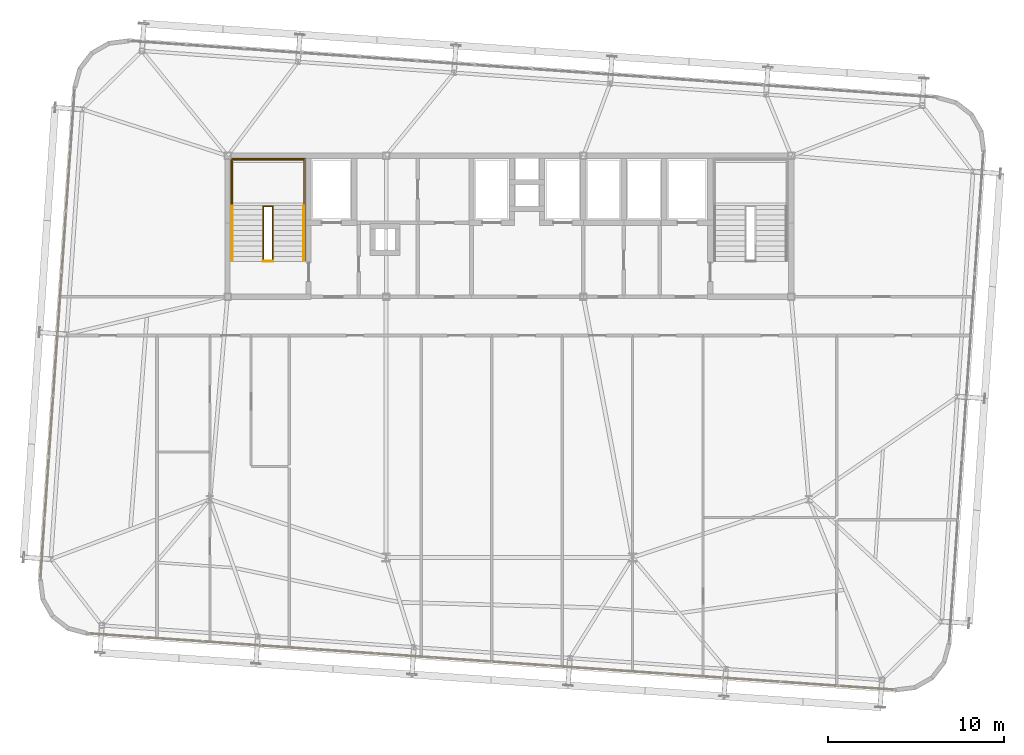
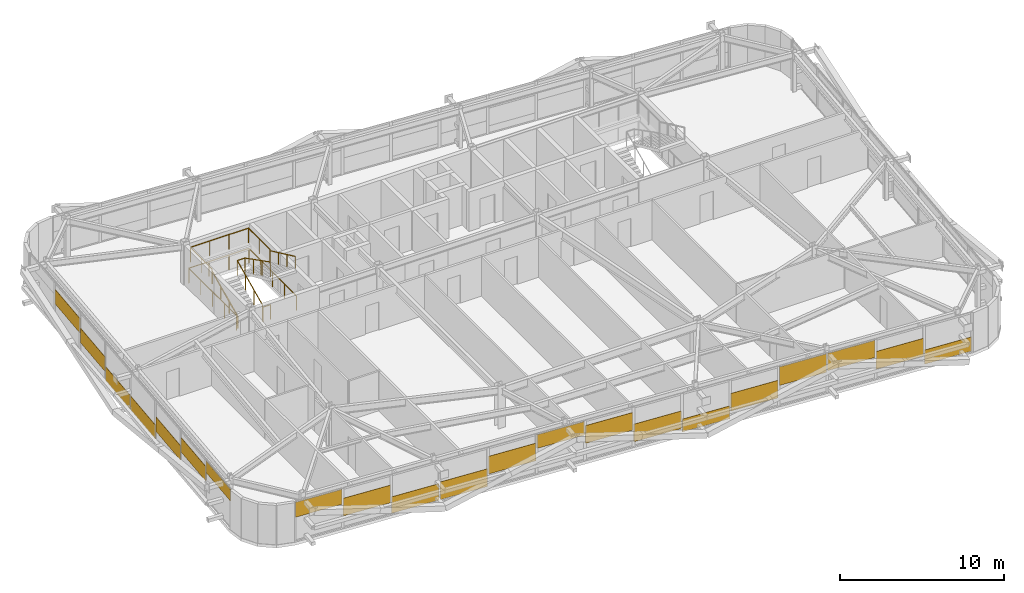
# One storey, part 45 of 47: 21 coverings, 6 railings.
"""IFC4 building model written with IfcOpenShell, lengths in metres."""

import ifcopenshell
import ifcopenshell.guid

model = None  # the IFC model being written
_history = None  # IfcOwnerHistory: only IFC2X3 demands one
_inside = {}  # id of a spatial element -> (the spatial element, [elements in it])
_under = {}  # id of a project, library or spatial element -> (it, [spatial elements below it])
_declared = {}  # id of a project -> (the project, [libraries it declares])
_typed = {}  # id of a type object -> (the type object, [elements of that type])
_made_of = {}  # id of a material, layer set ... -> (it, [elements and type objects made of it])


def new_model(schema):
    """Start an empty IFC model of exactly this schema.

    Asked for "IFC4X3", IfcOpenShell would pick the latest addendum, in which some entities
    have other attributes; the version numbers below select the first issue.
    IFC2X3 requires an IfcOwnerHistory on every rooted entity: one is made here for all.
    """
    global model, _history
    if schema == "IFC4X3":
        model = ifcopenshell.file(schema_version=(4, 3, 0, 0))
    else:
        model = ifcopenshell.file(schema=schema)
    _inside.clear()
    _under.clear()
    _declared.clear()
    _typed.clear()
    _made_of.clear()
    _history = None
    if model.schema == "IFC2X3":
        org = make("IfcOrganization", Name="unknown")
        user = make(
            "IfcPersonAndOrganization",
            ThePerson=make("IfcPerson", FamilyName="unknown"),
            TheOrganization=org,
        )
        app = make(
            "IfcApplication",
            ApplicationDeveloper=org,
            Version="unknown",
            ApplicationFullName="unknown",
            ApplicationIdentifier="unknown",
        )
        _history = make(
            "IfcOwnerHistory",
            OwningUser=user,
            OwningApplication=app,
            ChangeAction="ADDED",
            CreationDate=0,
        )
    return model


def make(cls, **values):
    """One entity of the class cls with the attributes given. An attribute that is None is left unset."""
    return model.create_entity(
        cls, **{name: value for name, value in values.items() if value is not None}
    )


def rooted(cls, **values):
    """An entity with a GlobalId (a new one), such as an element, a storey or a relation."""
    return make(cls, GlobalId=ifcopenshell.guid.new(), OwnerHistory=_history, **values)


def si_unit(unit_type, name, prefix=None):
    """IfcSIUnit, for example si_unit("LENGTHUNIT", "METRE", prefix="MILLI")."""
    return make("IfcSIUnit", UnitType=unit_type, Prefix=prefix, Name=name)


def assignment(units):
    """IfcUnitAssignment: the units of a project."""
    return None if units is None else make("IfcUnitAssignment", Units=units)


def point(xyz):
    """IfcCartesianPoint."""
    return None if xyz is None else make("IfcCartesianPoint", Coordinates=xyz)


def direction(xyz):
    """IfcDirection."""
    return None if xyz is None else make("IfcDirection", DirectionRatios=xyz)


def frame(location, z_axis=None, x_axis=None):
    """IfcAxis2Placement3D, a coordinate frame: its origin and axes. An axis left out is left unset."""
    return make(
        "IfcAxis2Placement3D",
        Location=point(location),
        Axis=direction(z_axis),
        RefDirection=direction(x_axis),
    )


def frame_2d(location, x_axis=None):
    """IfcAxis2Placement2D, a coordinate frame in the plane: its origin and x axis."""
    return make(
        "IfcAxis2Placement2D", Location=point(location), RefDirection=direction(x_axis)
    )


def origin():
    """The frame at (0, 0, 0) with its axes left unset."""
    return frame((0.0, 0.0, 0.0))


def origin_2d():
    """The frame at (0, 0) in the plane with its x axis left unset."""
    return frame_2d((0.0, 0.0))


def place(relative_to, where):
    """IfcLocalPlacement: puts the frame where relative to a parent placement (None: the world)."""
    return make(
        "IfcLocalPlacement", PlacementRelTo=relative_to, RelativePlacement=where
    )


def context(
    kind, dimensions, precision=None, world=None, true_north=None, identifier=None
):
    """IfcGeometricRepresentationContext, for example the 3D "Model" context."""
    return make(
        "IfcGeometricRepresentationContext",
        ContextIdentifier=identifier,
        ContextType=kind,
        CoordinateSpaceDimension=dimensions,
        Precision=precision,
        WorldCoordinateSystem=world,
        TrueNorth=true_north,
    )


def subcontext(parent, identifier, kind, view, scale=None):
    """IfcGeometricRepresentationSubContext, for example "Body" below "Model"."""
    return make(
        "IfcGeometricRepresentationSubContext",
        ContextIdentifier=identifier,
        ContextType=kind,
        ParentContext=parent,
        TargetScale=scale,
        TargetView=view,
    )


def project(units=None, contexts=None):
    """IfcProject with its units and contexts."""
    return rooted(
        "IfcProject",
        Name="project",
        RepresentationContexts=contexts,
        UnitsInContext=assignment(units),
    )


def spatial(cls, under=None, at=None, **own):
    """A site, building, storey or space (cls), placed at a placement, below another one or the project."""
    s = rooted(cls, ObjectPlacement=at, **own)
    if under is not None:
        _under.setdefault(under.id(), (under, []))[1].append(s)
    return s


def profile(cls, at=None, kind="AREA", **sizes):
    """A parametric profile (cls). Its sizes go by their IFC names, for example OverallWidth=200.0."""
    return make(cls, ProfileType=kind, Position=at, **sizes)


def rectangle(**sizes):
    """IfcRectangleProfileDef."""
    return profile("IfcRectangleProfileDef", **sizes)


def extrude(swept, where, along, depth):
    """IfcExtrudedAreaSolid: the profile swept, set in the frame where, extruded along a direction by depth."""
    return make(
        "IfcExtrudedAreaSolid",
        SweptArea=swept,
        Position=where,
        ExtrudedDirection=direction(along),
        Depth=depth,
    )


def shape(context_of_items, identifier, shape_type, items):
    """IfcShapeRepresentation: the items that make up one representation, for example the "Body"."""
    return make(
        "IfcShapeRepresentation",
        ContextOfItems=context_of_items,
        RepresentationIdentifier=identifier,
        RepresentationType=shape_type,
        Items=items,
    )


def source(mapping_origin, context_of_items, identifier, shape_type, items):
    """IfcRepresentationMap: a shape defined once, which mapped items show again and again."""
    return make(
        "IfcRepresentationMap",
        MappingOrigin=mapping_origin,
        MappedRepresentation=shape(context_of_items, identifier, shape_type, items),
    )


def transform(
    local_origin,
    x_axis=None,
    y_axis=None,
    z_axis=None,
    scale=None,
    scale2=None,
    scale3=None,
    uniform=True,
):
    """IfcCartesianTransformationOperator3D, or its non-uniform kind. x_axis, y_axis, z_axis: its Axis1, 2, 3."""
    if uniform:
        return make(
            "IfcCartesianTransformationOperator3D",
            Axis1=direction(x_axis),
            Axis2=direction(y_axis),
            LocalOrigin=point(local_origin),
            Scale=scale,
            Axis3=direction(z_axis),
        )
    return make(
        "IfcCartesianTransformationOperator3DnonUniform",
        Axis1=direction(x_axis),
        Axis2=direction(y_axis),
        LocalOrigin=point(local_origin),
        Scale=scale,
        Axis3=direction(z_axis),
        Scale2=scale2,
        Scale3=scale3,
    )


def mapped(mapping_source, mapping_target):
    """IfcMappedItem: shows the shape of a source again, moved by a transform."""
    return make(
        "IfcMappedItem", MappingSource=mapping_source, MappingTarget=mapping_target
    )


def material(Name=None, Category=None):
    """IfcMaterial."""
    return make("IfcMaterial", Name=Name, Category=Category)


def layer(
    of_material, thickness, ventilated=None, Name=None, Category=None, Priority=None
):
    """IfcMaterialLayer: one layer of a wall or slab, of a material (None: an air gap)."""
    return make(
        "IfcMaterialLayer",
        Material=of_material,
        LayerThickness=thickness,
        IsVentilated=ventilated,
        Name=Name,
        Category=Category,
        Priority=Priority,
    )


def layer_set(layers, Name=None):
    """IfcMaterialLayerSet."""
    return make("IfcMaterialLayerSet", MaterialLayers=layers, LayerSetName=Name)


def made_of(thing, what):
    """Note that an element or type object is made of a material, layer set ...; save() writes the relation."""
    if what is not None:
        _made_of.setdefault(what.id(), (what, []))[1].append(thing)
    return thing


def type_object(cls, material=None, **own):
    """A type object (cls), such as IfcWallType, which elements share."""
    return made_of(rooted(cls, **own), material)


def element(
    cls,
    number,
    at=None,
    inside=None,
    cuts=None,
    type_object=None,
    material=None,
    context=None,
    identifier="Body",
    shape_type=None,
    held_by="IfcProductDefinitionShape",
    body=None,
    shapes=None,
    **own,
):
    """One element of the class cls, such as IfcWall. Its Tag is "e" and its number.

    at: its placement. inside: the storey or other place that contains it. cuts: it is an
    opening in that element (IfcRelVoidsElement). A single representation is given by context,
    identifier, shape_type and body (its items); several are given by shapes. held_by: the class
    of the entity that holds the representations. save() writes the other relations.
    """
    e = rooted(cls, Tag="e%d" % number, ObjectPlacement=at, **own)
    if body is not None:
        shapes = [shape(context, identifier, shape_type, body)]
    if shapes is not None:
        e.Representation = make(held_by, Representations=shapes)
    if inside is not None:
        _inside.setdefault(inside.id(), (inside, []))[1].append(e)
    if cuts is not None:
        rooted(
            "IfcRelVoidsElement", RelatingBuildingElement=cuts, RelatedOpeningElement=e
        )
    if type_object is not None:
        _typed.setdefault(type_object.id(), (type_object, []))[1].append(e)
    return made_of(e, material)


def aggregate(whole, parts):
    """IfcRelAggregates: a whole, such as a stair, and the parts it consists of."""
    return rooted("IfcRelAggregates", RelatingObject=whole, RelatedObjects=parts)


def save(model, path):
    """Write the relations noted so far, then the file.

    IfcRelAggregates (storeys below a building ...), IfcRelContainedInSpatialStructure (elements
    in a storey), IfcRelDefinesByType, IfcRelAssociatesMaterial and IfcRelDeclares: one each for
    every whole, place, type object, material and project.
    """
    for whole, parts in _under.values():
        aggregate(whole, parts)
    for where, things in _inside.values():
        rooted(
            "IfcRelContainedInSpatialStructure",
            RelatedElements=things,
            RelatingStructure=where,
        )
    for kind, things in _typed.values():
        rooted("IfcRelDefinesByType", RelatedObjects=things, RelatingType=kind)
    for what, things in _made_of.values():
        rooted("IfcRelAssociatesMaterial", RelatedObjects=things, RelatingMaterial=what)
    for by, libraries in _declared.values():
        rooted("IfcRelDeclares", RelatingContext=by, RelatedDefinitions=libraries)
    model.write(path)


model = new_model("IFC4")

# Units and contexts
model_context = context("Model", 3, precision=1e-05, world=origin(), true_north=direction((0.0, 1.0)))
body_context = subcontext(model_context, "Body", "Model", "MODEL_VIEW")
ifc_project = project(units=[si_unit("LENGTHUNIT", "METRE"), si_unit("AREAUNIT", "SQUARE_METRE"), si_unit("VOLUMEUNIT", "CUBIC_METRE"), si_unit("PLANEANGLEUNIT", "RADIAN"), si_unit("MASSUNIT", "GRAM", prefix="KILO")], contexts=[model_context])

# Site, building, storey
site_placement = place(None, origin())
site = spatial("IfcSite", under=ifc_project, at=site_placement, CompositionType="ELEMENT")
building_placement = place(site_placement, origin())
building = spatial("IfcBuilding", under=site, at=building_placement, Name="Taldren Reach Tower", CompositionType="ELEMENT")
storey_placement = place(building_placement, frame((0.0, 0.0, 142.449951171875)))
storey = spatial("IfcBuildingStorey", under=building, at=storey_placement, Name="L43", CompositionType="ELEMENT", Elevation=142.449951171875)

# Railings
ifc_material_1 = material(Name="Steel Gr 350 (C350L0)", Category="steel")
ifc_layer_1 = layer(ifc_material_1, 0.050048828125)
ifc_layer_set_1 = layer_set([ifc_layer_1], Name="Steel Gr 350 (C350L0)")
railing_type_1 = type_object("IfcRailingType", Name="RL-STAIR-GR", PredefinedType="GUARDRAIL", material=ifc_layer_set_1)
railing_1_placement = place(storey_placement, frame((19.260009765625, 29.135009765625, 1.574951171875)))
element("IfcRailing", 1, at=railing_1_placement, inside=storey, type_object=railing_type_1, Name="Stair half-landing perimeter guard ST1-L43", PredefinedType="GUARDRAIL", context=body_context, shape_type="SweptSolid", body=[
    extrude(rectangle(XDim=0.047852, YDim=0.047852, at=origin_2d()), frame((0.0, 0.0, 1.09619140625), z_axis=(0.0, 1.0, 0.0), x_axis=(-1.0, 0.0, 0.0)), (0.0, 0.0, 1.0), 2.64501953125),
    extrude(rectangle(XDim=0.047852, YDim=0.047852, at=origin_2d()), frame((0.0, 2.64501953125, 1.09619140625), z_axis=(1.0, 0.0, 0.0), x_axis=(0.0, 1.0, 0.0)), (0.0, 0.0, 1.0), 4.080078125),
    extrude(rectangle(XDim=0.047852, YDim=0.047852, at=origin_2d()), frame((4.080078125, 2.64501953125, 1.09619140625), z_axis=(0.0, -1.0, 0.0), x_axis=(1.0, 0.0, 0.0)), (0.0, 0.0, 1.0), 2.64501953125),
    extrude(rectangle(XDim=0.041992, YDim=0.041992, at=origin_2d()), origin(), (0.0, 0.0, 1.0), 1.072021484375),
    extrude(rectangle(XDim=0.041992, YDim=0.041992, at=origin_2d()), frame((0.0, 1.322509765625, 0.0)), (0.0, 0.0, 1.0), 1.072021484375),
    extrude(rectangle(XDim=0.041992, YDim=0.041992, at=origin_2d()), frame((0.0, 2.64501953125, 0.0)), (0.0, 0.0, 1.0), 1.072021484375),
    extrude(rectangle(XDim=0.041992, YDim=0.041992, at=origin_2d()), frame((1.360107421875, 2.64501953125, 0.0)), (0.0, 0.0, 1.0), 1.072021484375),
    extrude(rectangle(XDim=0.041992, YDim=0.041992, at=origin_2d()), frame((2.719970703125, 2.64501953125, 0.0)), (0.0, 0.0, 1.0), 1.072021484375),
    extrude(rectangle(XDim=0.041992, YDim=0.041992, at=origin_2d()), frame((4.080078125, 2.64501953125, 0.0)), (0.0, 0.0, 1.0), 1.072021484375),
    extrude(rectangle(XDim=0.041992, YDim=0.041992, at=origin_2d()), frame((4.080078125, 1.322509765625, 0.0)), (0.0, 0.0, 1.0), 1.072021484375),
    extrude(rectangle(XDim=0.041992, YDim=0.041992, at=origin_2d()), frame((4.080078125, 0.0, 0.0)), (0.0, 0.0, 1.0), 1.072021484375),
])
railing_2_placement = place(storey_placement, frame((21.030029296875, 26.050048828125, 0.13134765625)))
element("IfcRailing", 2, at=railing_2_placement, inside=storey, type_object=railing_type_1, Name="Stairwell inner guard ST1-L43", PredefinedType="GUARDRAIL", context=body_context, shape_type="SweptSolid", body=[
    extrude(rectangle(XDim=0.047852, YDim=0.047852, at=origin_2d()), frame((0.0, 0.0, 1.09619140625), z_axis=(0.0, 0.905737652094, 0.423838773095), x_axis=(-1.0, 0.0, 0.0)), (0.0, 0.0, 1.0), 3.406005859375),
    extrude(rectangle(XDim=0.047852, YDim=0.047852, at=origin_2d()), frame((0.0, 3.0849609375, 2.53955078125), z_axis=(1.0, 0.0, 0.0), x_axis=(0.0, 1.0, 0.0)), (0.0, 0.0, 1.0), 0.5400390625),
    extrude(rectangle(XDim=0.047852, YDim=0.047852, at=origin_2d()), frame((0.5400390625, 3.0849609375, 2.53955078125), z_axis=(0.0, -0.890617412389, 0.454753366946), x_axis=(1.0, 0.0, 0.0)), (0.0, 0.0, 1.0), 3.4638671875),
    extrude(rectangle(XDim=0.041992, YDim=0.041992, at=origin_2d()), origin(), (0.0, 0.0, 1.0), 1.072021484375),
    extrude(rectangle(XDim=0.041992, YDim=0.041992, at=origin_2d()), frame((0.0, 1.0283203125, 0.481201171875)), (0.0, 0.0, 1.0), 1.072021484375),
    extrude(rectangle(XDim=0.041992, YDim=0.041992, at=origin_2d()), frame((0.0, 2.056640625, 0.96240234375)), (0.0, 0.0, 1.0), 1.072021484375),
    extrude(rectangle(XDim=0.041992, YDim=0.041992, at=origin_2d()), frame((0.0, 3.0849609375, 1.443603515625)), (0.0, 0.0, 1.0), 1.072021484375),
    extrude(rectangle(XDim=0.041992, YDim=0.041992, at=origin_2d()), frame((0.5400390625, 3.0849609375, 1.443603515625)), (0.0, 0.0, 1.0), 1.072021484375),
    extrude(rectangle(XDim=0.041992, YDim=0.041992, at=origin_2d()), frame((0.5400390625, 2.056640625, 1.96875)), (0.0, 0.0, 1.0), 1.072021484375),
    extrude(rectangle(XDim=0.041992, YDim=0.041992, at=origin_2d()), frame((0.5400390625, 1.0283203125, 2.49365234375)), (0.0, 0.0, 1.0), 1.072021484375),
    extrude(rectangle(XDim=0.041992, YDim=0.041992, at=origin_2d()), frame((0.5400390625, 0.0, 3.018798828125)), (0.0, 0.0, 1.0), 1.072021484375),
])
railing_3_placement = place(storey_placement, frame((21.030029296875, 26.010009765625, 0.0)))
element("IfcRailing", 3, at=railing_3_placement, inside=storey, type_object=railing_type_1, Name="Stairwell landing slot guard ST1-L43", PredefinedType="GUARDRAIL", context=body_context, shape_type="SweptSolid", body=[
    extrude(rectangle(XDim=0.047852, YDim=0.047852, at=origin_2d()), frame((0.0, 0.0, 1.09619140625), z_axis=(1.0, 0.0, 0.0), x_axis=(0.0, 1.0, 0.0)), (0.0, 0.0, 1.0), 0.5400390625),
    extrude(rectangle(XDim=0.041992, YDim=0.041992, at=origin_2d()), origin(), (0.0, 0.0, 1.0), 1.072021484375),
    extrude(rectangle(XDim=0.041992, YDim=0.041992, at=origin_2d()), frame((0.5400390625, 0.0, 0.0)), (0.0, 0.0, 1.0), 1.072021484375),
])
railing_4_placement = place(storey_placement, frame((19.18994140625, 26.050048828125, 0.0)))
element("IfcRailing", 4, at=railing_4_placement, inside=storey, type_object=railing_type_1, Name="Stairwell floor opening guard ST1-L43", PredefinedType="GUARDRAIL", context=body_context, shape_type="SweptSolid", body=[
    extrude(rectangle(XDim=0.047852, YDim=0.047852, at=origin_2d()), frame((0.0, 0.0, 1.09619140625), z_axis=(0.0, 1.0, 0.0), x_axis=(-1.0, 0.0, 0.0)), (0.0, 0.0, 1.0), 5.800048828125),
    extrude(rectangle(XDim=0.047852, YDim=0.047852, at=origin_2d()), frame((0.0, 5.800048828125, 1.09619140625), z_axis=(1.0, 0.0, 0.0), x_axis=(0.0, 1.0, 0.0)), (0.0, 0.0, 1.0), 4.219970703125),
    extrude(rectangle(XDim=0.047852, YDim=0.047852, at=origin_2d()), frame((4.219970703125, 5.800048828125, 1.09619140625), z_axis=(0.0, -1.0, 0.0), x_axis=(1.0, 0.0, 0.0)), (0.0, 0.0, 1.0), 5.800048828125),
    extrude(rectangle(XDim=0.041992, YDim=0.041992, at=origin_2d()), origin(), (0.0, 0.0, 1.0), 1.072021484375),
    extrude(rectangle(XDim=0.041992, YDim=0.041992, at=origin_2d()), frame((0.0, 1.449951171875, 0.0)), (0.0, 0.0, 1.0), 1.072021484375),
    extrude(rectangle(XDim=0.041992, YDim=0.041992, at=origin_2d()), frame((0.0, 2.89990234375, 0.0)), (0.0, 0.0, 1.0), 1.072021484375),
    extrude(rectangle(XDim=0.041992, YDim=0.041992, at=origin_2d()), frame((0.0, 4.35009765625, 0.0)), (0.0, 0.0, 1.0), 1.072021484375),
    extrude(rectangle(XDim=0.041992, YDim=0.041992, at=origin_2d()), frame((0.0, 5.800048828125, 0.0)), (0.0, 0.0, 1.0), 1.072021484375),
    extrude(rectangle(XDim=0.041992, YDim=0.041992, at=origin_2d()), frame((1.40673828125, 5.800048828125, 0.0)), (0.0, 0.0, 1.0), 1.072021484375),
    extrude(rectangle(XDim=0.041992, YDim=0.041992, at=origin_2d()), frame((2.813232421875, 5.800048828125, 0.0)), (0.0, 0.0, 1.0), 1.072021484375),
    extrude(rectangle(XDim=0.041992, YDim=0.041992, at=origin_2d()), frame((4.219970703125, 5.800048828125, 0.0)), (0.0, 0.0, 1.0), 1.072021484375),
    extrude(rectangle(XDim=0.041992, YDim=0.041992, at=origin_2d()), frame((4.219970703125, 4.35009765625, 0.0)), (0.0, 0.0, 1.0), 1.072021484375),
    extrude(rectangle(XDim=0.041992, YDim=0.041992, at=origin_2d()), frame((4.219970703125, 2.89990234375, 0.0)), (0.0, 0.0, 1.0), 1.072021484375),
    extrude(rectangle(XDim=0.041992, YDim=0.041992, at=origin_2d()), frame((4.219970703125, 1.449951171875, 0.0)), (0.0, 0.0, 1.0), 1.072021484375),
    extrude(rectangle(XDim=0.041992, YDim=0.041992, at=origin_2d()), frame((4.219970703125, 0.0, 0.0)), (0.0, 0.0, 1.0), 1.072021484375),
])
ifc_material_2 = material(Name="Stainless Steel Gr 316", Category="steel")
ifc_layer_2 = layer(ifc_material_2, 0.048095703125)
ifc_layer_set_2 = layer_set([ifc_layer_2], Name="Stainless Steel Gr 316")
railing_type_2 = type_object("IfcRailingType", Name="RL-STAIR-HR", PredefinedType="HANDRAIL", material=ifc_layer_set_2)
railing_5_placement = place(storey_placement, frame((19.27001953125, 26.050048828125, 0.13134765625)))
element("IfcRailing", 5, at=railing_5_placement, inside=storey, type_object=railing_type_2, Name="Stair flight handrail ST1-L43-1", PredefinedType="HANDRAIL", context=body_context, shape_type="SweptSolid", body=[
    extrude(rectangle(XDim=0.047852, YDim=0.047852, at=origin_2d()), frame((0.0, 0.0, 0.89599609375), z_axis=(0.0, 0.905737652094, 0.423838773095), x_axis=(-1.0, 0.0, 0.0)), (0.0, 0.0, 1.0), 3.406005859375),
    extrude(rectangle(XDim=0.041992, YDim=0.041992, at=origin_2d()), origin(), (0.0, 0.0, 1.0), 0.871826171875),
    extrude(rectangle(XDim=0.041992, YDim=0.041992, at=origin_2d()), frame((0.0, 1.0283203125, 0.481201171875)), (0.0, 0.0, 1.0), 0.871826171875),
    extrude(rectangle(XDim=0.041992, YDim=0.041992, at=origin_2d()), frame((0.0, 2.056640625, 0.96240234375)), (0.0, 0.0, 1.0), 0.871826171875),
    extrude(rectangle(XDim=0.041992, YDim=0.041992, at=origin_2d()), frame((0.0, 3.0849609375, 1.443603515625)), (0.0, 0.0, 1.0), 0.871826171875),
])
railing_6_placement = place(storey_placement, frame((23.330078125, 29.135009765625, 1.706298828125)))
element("IfcRailing", 6, at=railing_6_placement, inside=storey, type_object=railing_type_2, Name="Stair flight handrail ST1-L43-2", PredefinedType="HANDRAIL", context=body_context, shape_type="SweptSolid", body=[
    extrude(rectangle(XDim=0.047852, YDim=0.047852, at=origin_2d()), frame((0.0, 0.0, 0.89599609375), z_axis=(0.0, -0.905710134349, 0.423897573167), x_axis=(1.0, 0.0, 0.0)), (0.0, 0.0, 1.0), 3.406005859375),
    extrude(rectangle(XDim=0.041992, YDim=0.041992, at=origin_2d()), origin(), (0.0, 0.0, 1.0), 0.871826171875),
    extrude(rectangle(XDim=0.041992, YDim=0.041992, at=origin_2d()), frame((0.0, -1.0283203125, 0.481201171875)), (0.0, 0.0, 1.0), 0.871826171875),
    extrude(rectangle(XDim=0.041992, YDim=0.041992, at=origin_2d()), frame((0.0, -2.056640625, 0.962646484375)), (0.0, 0.0, 1.0), 0.871826171875),
    extrude(rectangle(XDim=0.041992, YDim=0.041992, at=origin_2d()), frame((0.0, -3.0849609375, 1.44384765625)), (0.0, 0.0, 1.0), 0.871826171875),
])

# Coverings
ifc_material_3 = material(Name="Pale Champagne Fluoropolymer Aluminium Spandrel Cladding", Category="aluminium")
ifc_layer_3 = layer(ifc_material_3, 0.0439453125)
ifc_layer_set_3 = layer_set([ifc_layer_3], Name="Pale Champagne Fluoropolymer Aluminium Spandrel Cladding")
covering_type = type_object("IfcCoveringType", Name="CV-CLAD-044", PredefinedType="CLADDING", material=ifc_layer_set_3)
shared_shape_1 = source(origin(), body_context, "Body", "SweptSolid", [
    extrude(rectangle(XDim=3.1806640625, YDim=0.0439453125, at=origin_2d()), origin(), (0.0, 0.0, 1.0), 1.05322265625),
])
covering_1_placement = place(storey_placement, frame((55.261474609375, 1.79248046875, 0.054931640625), z_axis=(0.0, 0.0, 1.0), x_axis=(0.99756404731, -0.06975651593, 0.0)))
element("IfcCovering", 7, at=covering_1_placement, inside=storey, type_object=covering_type, Name="Diagrid closure cladding strip CW-4 panel 14.1 1", PredefinedType="CLADDING", context=body_context, shape_type="MappedRepresentation", body=[
    mapped(shared_shape_1, transform((0.0, 0.0, 0.0), scale=1.0)),
])
shared_shape_2 = source(origin(), body_context, "Body", "SweptSolid", [
    extrude(rectangle(XDim=3.2158203125, YDim=0.0439453125, at=origin_2d()), origin(), (0.0, 0.0, 1.0), 1.31494140625),
])
for number, where, z_axis, x_axis, name in (
    (8, (15.946533203125, 4.541748046875, 0.86279296875), (0.0, 0.0, 1.0), (0.99756404731, -0.06975651593, 0.0), "Diagrid closure cladding strip CW-4 panel 2.1 1"),
    (9, (25.779541015625, 3.85400390625, 0.959716796875), (0.0, 0.0, 1.0), (0.99756404731, -0.06975651593, 0.0), "Diagrid closure cladding strip CW-4 panel 5.1 1"),
    (10, (32.3349609375, 3.395751953125, 1.22705078125), (0.0, 0.0, 1.0), (0.99756404731, -0.06975651593, 0.0), "Diagrid closure cladding strip CW-4 panel 7.1 1"),
    (11, (35.61279296875, 3.16650390625, 0.328125), (0.0, 0.0, 1.0), (0.99756404731, -0.06975651593, 0.0), "Diagrid closure cladding strip CW-4 panel 8.1 1"),
    (12, (42.168212890625, 2.7080078125, 0.595458984375), (0.0, 0.0, 1.0), (0.99756404731, -0.06975651593, 0.0), "Diagrid closure cladding strip CW-4 panel 10.1 1"),
    (13, (52.001220703125, 2.0205078125, 0.6923828125), (0.0, 0.0, 1.0), (0.99756404731, -0.06975651593, 0.0), "Diagrid closure cladding strip CW-4 panel 13.1 1"),
):
    element("IfcCovering", number, at=place(storey_placement, frame(where, z_axis=z_axis, x_axis=x_axis)), inside=storey, type_object=covering_type, Name=name, PredefinedType="CLADDING", context=body_context, shape_type="MappedRepresentation", body=[
        mapped(shared_shape_2, transform((0.0, 0.0, 0.0), scale=1.0)),
    ])
shared_shape_3 = source(origin(), body_context, "Body", "SweptSolid", [
    extrude(rectangle(XDim=3.2158203125, YDim=0.0439453125, at=origin_2d()), origin(), (0.0, 0.0, 1.0), 1.28369140625),
])
covering_2_placement = place(storey_placement, frame((48.7236328125, 2.249755859375, 1.59130859375), z_axis=(0.0, 0.0, 1.0), x_axis=(0.99756404731, -0.06975651593, 0.0)))
element("IfcCovering", 14, at=covering_2_placement, inside=storey, type_object=covering_type, Name="Diagrid closure cladding strip CW-4 panel 12.1 1", PredefinedType="CLADDING", context=body_context, shape_type="MappedRepresentation", body=[
    mapped(shared_shape_3, transform((0.0, 0.0, 0.0), scale=1.0)),
])
shared_shape_4 = source(origin(), body_context, "Body", "SweptSolid", [
    extrude(rectangle(XDim=3.2158203125, YDim=0.0439453125, at=origin_2d()), origin(), (0.0, 0.0, 1.0), 1.380615234375),
])
covering_3_placement = place(storey_placement, frame((45.44580078125, 2.478759765625, 1.49462890625), z_axis=(0.0, 0.0, 1.0), x_axis=(0.99756404731, -0.06975651593, 0.0)))
element("IfcCovering", 15, at=covering_3_placement, inside=storey, type_object=covering_type, Name="Diagrid closure cladding strip CW-4 panel 11.1 1", PredefinedType="CLADDING", context=body_context, shape_type="MappedRepresentation", body=[
    mapped(shared_shape_4, transform((0.0, 0.0, 0.0), scale=1.0)),
])
shared_shape_5 = source(origin(), body_context, "Body", "SweptSolid", [
    extrude(rectangle(XDim=3.2158203125, YDim=0.0439453125, at=origin_2d()), origin(), (0.0, 0.0, 1.0), 0.956298828125),
])
covering_4_placement = place(storey_placement, frame((38.890380859375, 2.937255859375, 0.05517578125), z_axis=(0.0, 0.0, 1.0), x_axis=(0.99756404731, -0.06975651593, 0.0)))
element("IfcCovering", 16, at=covering_4_placement, inside=storey, type_object=covering_type, Name="Diagrid closure cladding strip CW-4 panel 9.1 1", PredefinedType="CLADDING", context=body_context, shape_type="MappedRepresentation", body=[
    mapped(shared_shape_5, transform((0.0, 0.0, 0.0), scale=1.0)),
])
shared_shape_6 = source(origin(), body_context, "Body", "SweptSolid", [
    extrude(rectangle(XDim=3.2158203125, YDim=0.0439453125, at=origin_2d()), origin(), (0.0, 0.0, 1.0), 1.01611328125),
])
covering_5_placement = place(storey_placement, frame((29.057373046875, 3.624755859375, 1.85888671875), z_axis=(0.0, 0.0, 1.0), x_axis=(0.99756404731, -0.06975651593, 0.0)))
element("IfcCovering", 17, at=covering_5_placement, inside=storey, type_object=covering_type, Name="Diagrid closure cladding strip CW-4 panel 6.1 1", PredefinedType="CLADDING", context=body_context, shape_type="MappedRepresentation", body=[
    mapped(shared_shape_6, transform((0.0, 0.0, 0.0), scale=1.0)),
])
shared_shape_7 = source(origin(), body_context, "Body", "SweptSolid", [
    extrude(rectangle(XDim=3.2158203125, YDim=0.0439453125, at=origin_2d()), origin(), (0.0, 0.0, 1.0), 1.320556640625),
])
covering_6_placement = place(storey_placement, frame((22.501953125, 4.083251953125, 0.05517578125), z_axis=(0.0, 0.0, 1.0), x_axis=(0.99756404731, -0.06975651593, 0.0)))
element("IfcCovering", 18, at=covering_6_placement, inside=storey, type_object=covering_type, Name="Diagrid closure cladding strip CW-4 panel 4.1 1", PredefinedType="CLADDING", context=body_context, shape_type="MappedRepresentation", body=[
    mapped(shared_shape_7, transform((0.0, 0.0, 0.0), scale=1.0)),
])
shared_shape_8 = source(origin(), body_context, "Body", "SweptSolid", [
    extrude(rectangle(XDim=3.2158203125, YDim=0.0439453125, at=origin_2d()), origin(), (0.0, 0.0, 1.0), 1.2236328125),
])
covering_7_placement = place(storey_placement, frame((19.22412109375, 4.3125, 0.054931640625), z_axis=(0.0, 0.0, 1.0), x_axis=(0.99756404731, -0.06975651593, 0.0)))
element("IfcCovering", 19, at=covering_7_placement, inside=storey, type_object=covering_type, Name="Diagrid closure cladding strip CW-4 panel 3.1 1", PredefinedType="CLADDING", context=body_context, shape_type="MappedRepresentation", body=[
    mapped(shared_shape_8, transform((0.0, 0.0, 0.0), scale=1.0)),
])
shared_shape_9 = source(origin(), body_context, "Body", "SweptSolid", [
    extrude(rectangle(XDim=3.1806640625, YDim=0.0439453125, at=origin_2d()), origin(), (0.0, 0.0, 1.0), 1.11328125),
])
covering_8_placement = place(storey_placement, frame((12.686279296875, 4.76953125, 1.76171875), z_axis=(0.0, 0.0, 1.0), x_axis=(0.99756404731, -0.06975651593, 0.0)))
element("IfcCovering", 20, at=covering_8_placement, inside=storey, type_object=covering_type, Name="Diagrid closure cladding strip CW-4 panel 1.1 1", PredefinedType="CLADDING", context=body_context, shape_type="MappedRepresentation", body=[
    mapped(shared_shape_9, transform((0.0, 0.0, 0.0), scale=1.0)),
])
shared_shape_10 = source(origin(), body_context, "Body", "SweptSolid", [
    extrude(rectangle(XDim=3.429931640625, YDim=0.0439453125, at=origin_2d()), origin(), (0.0, 0.0, 1.0), 1.078369140625),
])
for number, where, z_axis, x_axis, name in (
    (21, (9.96337890625, 30.632568359375, 1.341796875), (0.0, 0.0, 1.0), (-0.069756437251, -0.997564052812, 0.0), "Diagrid closure cladding strip CW-4 panel 2.1 1"),
    (22, (9.71923828125, 27.14111328125, 0.677734375), (0.0, 0.0, 1.0), (-0.069756437251, -0.997564052812, 0.0), "Diagrid closure cladding strip CW-4 panel 3.1 1"),
    (23, (8.98681640625, 16.666748046875, 0.677734375), (0.0, 0.0, 1.0), (-0.069756437251, -0.997564052812, 0.0), "Diagrid closure cladding strip CW-4 panel 6.1 1"),
    (24, (8.74267578125, 13.17529296875, 1.341796875), (0.0, 0.0, 1.0), (-0.069756437251, -0.997564052812, 0.0), "Diagrid closure cladding strip CW-4 panel 7.1 1"),
):
    element("IfcCovering", number, at=place(storey_placement, frame(where, z_axis=z_axis, x_axis=x_axis)), inside=storey, type_object=covering_type, Name=name, PredefinedType="CLADDING", context=body_context, shape_type="MappedRepresentation", body=[
        mapped(shared_shape_10, transform((0.0, 0.0, 0.0), scale=1.0)),
    ])
shared_shape_11 = source(origin(), body_context, "Body", "SweptSolid", [
    extrude(rectangle(XDim=3.39501953125, YDim=0.0439453125, at=origin_2d()), origin(), (0.0, 0.0, 1.0), 0.86865234375),
])
covering_9_placement = place(storey_placement, frame((8.499755859375, 9.701171875, 2.00634765625), z_axis=(0.0, 0.0, 1.0), x_axis=(-0.069756437251, -0.997564052812, 0.0)))
element("IfcCovering", 25, at=covering_9_placement, inside=storey, type_object=covering_type, Name="Diagrid closure cladding strip CW-4 panel 8.1 1", PredefinedType="CLADDING", context=body_context, shape_type="MappedRepresentation", body=[
    mapped(shared_shape_11, transform((0.0, 0.0, 0.0), scale=1.0)),
])
shared_shape_12 = source(origin(), body_context, "Body", "SweptSolid", [
    extrude(rectangle(XDim=3.429931640625, YDim=0.0439453125, at=origin_2d()), origin(), (0.0, 0.0, 1.0), 1.036376953125),
])
for number, where, z_axis, x_axis, name in (
    (26, (9.47509765625, 23.649658203125, 0.05517578125), (0.0, 0.0, 1.0), (-0.069756437251, -0.997564052812, 0.0), "Diagrid closure cladding strip CW-4 panel 4.1 1"),
    (27, (9.23095703125, 20.158203125, 0.05517578125), (0.0, 0.0, 1.0), (-0.069756437251, -0.997564052812, 0.0), "Diagrid closure cladding strip CW-4 panel 5.1 1"),
):
    element("IfcCovering", number, at=place(storey_placement, frame(where, z_axis=z_axis, x_axis=x_axis)), inside=storey, type_object=covering_type, Name=name, PredefinedType="CLADDING", context=body_context, shape_type="MappedRepresentation", body=[
        mapped(shared_shape_12, transform((0.0, 0.0, 0.0), scale=1.0)),
    ])

save(model, "model.ifc")
